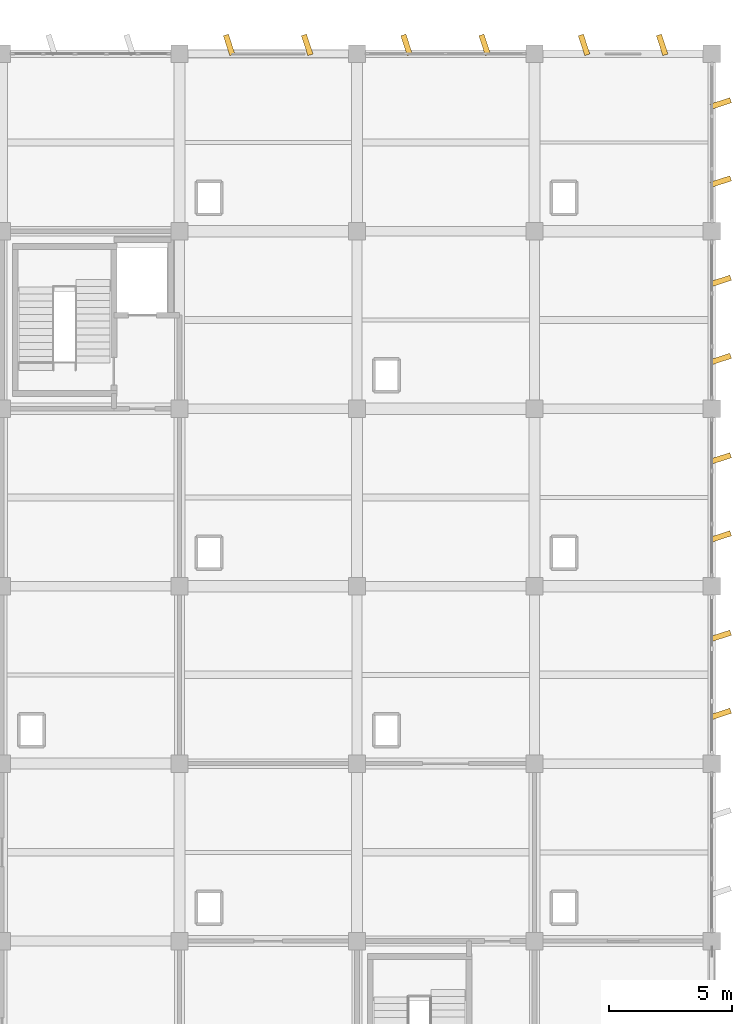
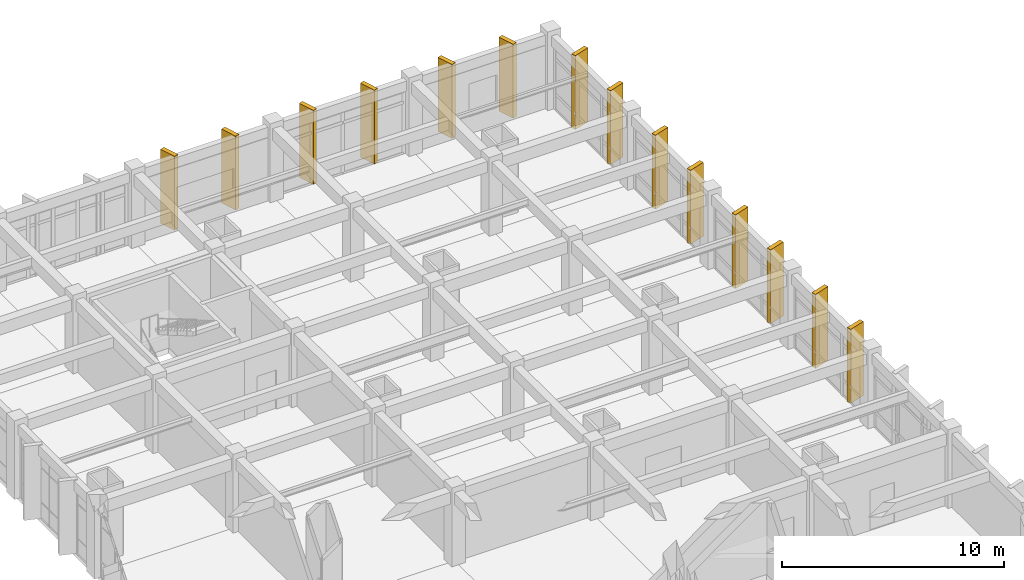
# One storey, part 70 of 70: 14 coverings.
"""IFC4 building model written with IfcOpenShell, lengths in metres."""

from ifc_helpers import new_model, si_unit, direction, frame, origin, origin_2d, place, context, subcontext, project, spatial, rectangle, extrude, material, layer, layer_set, type_object, element, save


model = new_model("IFC4")

# Units and contexts
model_context = context("Model", 3, precision=1e-05, world=origin(), true_north=direction((0.0, 1.0)))
body_context = subcontext(model_context, "Body", "Model", "MODEL_VIEW")
ifc_project = project(units=[si_unit("LENGTHUNIT", "METRE"), si_unit("AREAUNIT", "SQUARE_METRE"), si_unit("VOLUMEUNIT", "CUBIC_METRE"), si_unit("PLANEANGLEUNIT", "RADIAN"), si_unit("MASSUNIT", "GRAM", prefix="KILO")], contexts=[model_context])

# Site, building, storey
site_placement = place(None, origin())
site = spatial("IfcSite", under=ifc_project, at=site_placement, CompositionType="ELEMENT")
building_placement = place(site_placement, origin())
building = spatial("IfcBuilding", under=site, at=building_placement, Name="Kavelor Marine Aquarium", CompositionType="ELEMENT")
storey_placement = place(building_placement, frame((0.0, 0.0, 9.179931640625)))
storey = spatial("IfcBuildingStorey", under=building, at=storey_placement, Name="L02", CompositionType="ELEMENT", Elevation=9.179931640625)

# Coverings
ifc_material = material(Name="Precast Concrete C45/55 Coastal Brise-Soleil Fin", Category="concrete")
ifc_layer = layer(ifc_material, 0.219970703125)
ifc_layer_set = layer_set([ifc_layer], Name="COV-CL1")
covering_type = type_object("IfcCoveringType", Name="COV-CL1", PredefinedType="CLADDING", material=ifc_layer_set)
for number, where, z_axis, x_axis, name in (
    (1, (154.760009765625, 84.01611328125, 0.0), (0.0, 0.0, 1.0), (0.951056516295, 0.309016994375, 0.0), "fin:y:L02:21_11:0"),
    (2, (154.760009765625, 87.18408203125, 0.0), (0.0, 0.0, 1.0), (0.951056516295, 0.309016994375, 0.0), "fin:y:L02:21_11:1"),
    (3, (154.760009765625, 91.216064453125, 0.0), (0.0, 0.0, 1.0), (0.951056516295, 0.309016994375, 0.0), "fin:y:L02:21_12:0"),
    (4, (154.760009765625, 94.384033203125, 0.0), (0.0, 0.0, 1.0), (0.951056516295, 0.309016994375, 0.0), "fin:y:L02:21_12:1"),
    (5, (154.760009765625, 98.416015625, 0.0), (0.0, 0.0, 1.0), (0.951056516295, 0.309016994375, 0.0), "fin:y:L02:21_13:0"),
    (6, (154.760009765625, 101.583984375, 0.0), (0.0, 0.0, 1.0), (0.951056516295, 0.309016994375, 0.0), "fin:y:L02:21_13:1"),
    (7, (154.760009765625, 105.615966796875, 0.0), (0.0, 0.0, 1.0), (0.951056516295, 0.309016994375, 0.0), "fin:y:L02:21_14:0"),
    (8, (154.760009765625, 108.783935546875, 0.0), (0.0, 0.0, 1.0), (0.951056516295, 0.309016994375, 0.0), "fin:y:L02:21_14:1"),
):
    element("IfcCovering", number, at=place(storey_placement, frame(where, z_axis=z_axis, x_axis=x_axis)), inside=storey, type_object=covering_type, Name=name, PredefinedType="CLADDING", context=body_context, shape_type="SweptSolid", body=[
        extrude(rectangle(XDim=0.85009765625, YDim=0.219970703125, at=origin_2d()), origin(), (0.0, 0.0, 1.0), 4.06005859375),
    ])
for number, where, z_axis, x_axis, name in (
    (9, (134.81591796875, 111.159912109375, 0.0), (0.0, 0.0, 1.0), (0.951056516295, 0.309016994375, 0.0), "fin:x:L02:18_15:0"),
    (10, (137.98388671875, 111.159912109375, 0.0), (0.0, 0.0, 1.0), (0.951056516295, 0.309016994375, 0.0), "fin:x:L02:18_15:1"),
    (11, (142.01611328125, 111.159912109375, 0.0), (0.0, 0.0, 1.0), (0.951056516295, 0.309016994375, 0.0), "fin:x:L02:19_15:0"),
    (12, (145.18408203125, 111.159912109375, 0.0), (0.0, 0.0, 1.0), (0.951056516295, 0.309016994375, 0.0), "fin:x:L02:19_15:1"),
    (13, (149.216064453125, 111.159912109375, 0.0), (0.0, 0.0, 1.0), (0.951056516295, 0.309016994375, 0.0), "fin:x:L02:20_15:0"),
    (14, (152.384033203125, 111.159912109375, 0.0), (0.0, 0.0, 1.0), (0.951056516295, 0.309016994375, 0.0), "fin:x:L02:20_15:1"),
):
    element("IfcCovering", number, at=place(storey_placement, frame(where, z_axis=z_axis, x_axis=x_axis)), inside=storey, type_object=covering_type, Name=name, PredefinedType="CLADDING", context=body_context, shape_type="SweptSolid", body=[
        extrude(rectangle(XDim=0.219970703125, YDim=0.85009765625, at=origin_2d()), origin(), (0.0, 0.0, 1.0), 4.06005859375),
    ])

save(model, "model.ifc")
